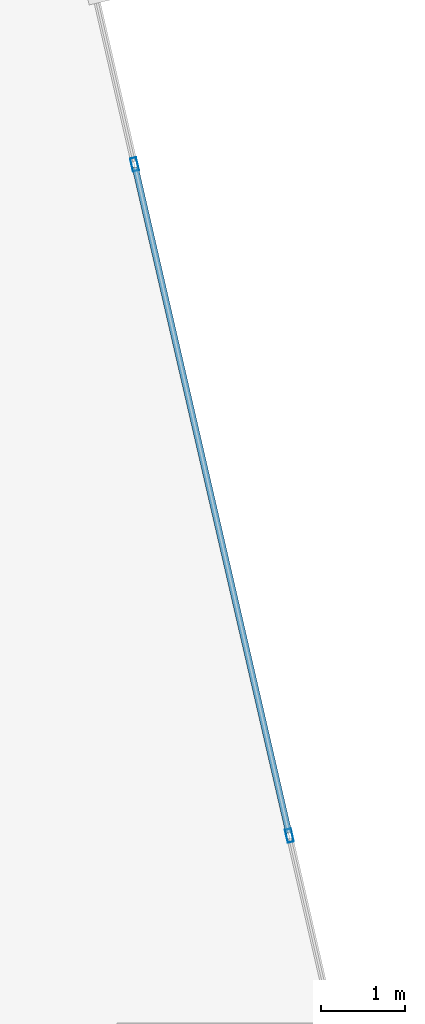
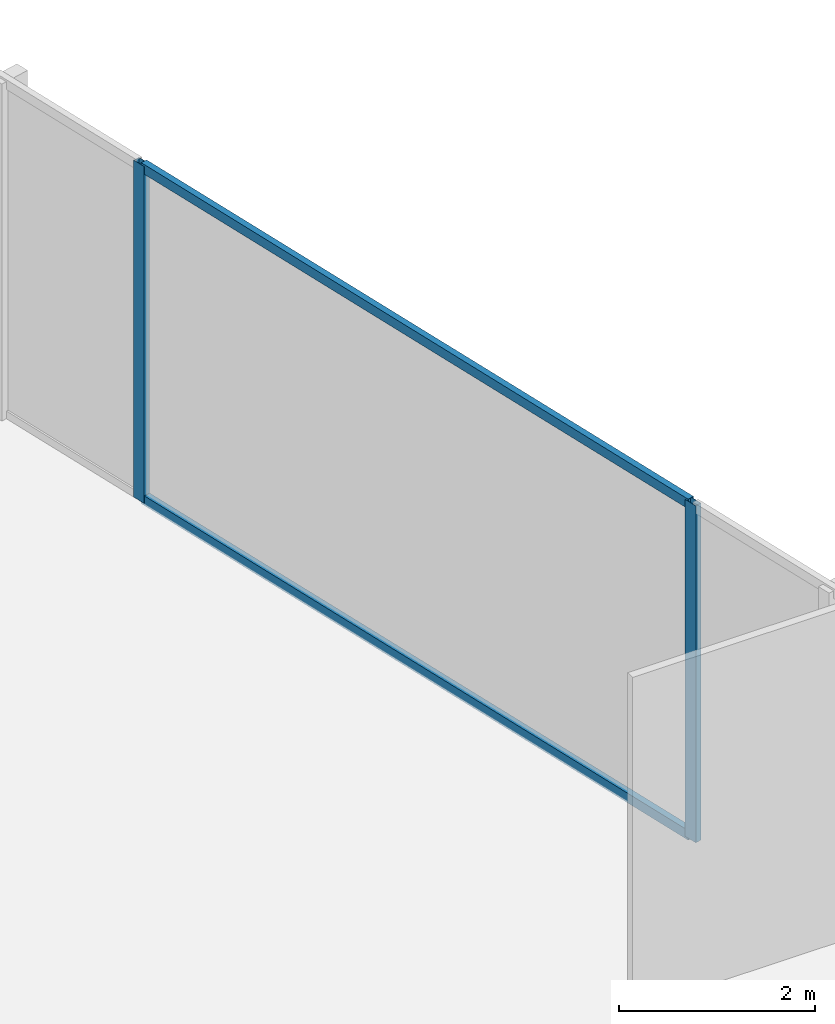
# One storey, part 16 of 24: 4 members, 1 element without a shape of its own.
"""IFC4 building model written with IfcOpenShell, lengths in metres."""

from ifc_helpers import new_model, si_unit, direction, frame, origin, origin_2d, place, context, subcontext, project, spatial, hollow_rectangle, extrude, material, layer, layer_set, material_profile, profile_set, type_object, element, aggregate, save


model = new_model("IFC4")

# Units and contexts
model_context = context("Model", 3, precision=1e-05, world=origin(), true_north=direction((0.0, 1.0)))
body_context = subcontext(model_context, "Body", "Model", "MODEL_VIEW")
ifc_project = project(units=[si_unit("LENGTHUNIT", "METRE"), si_unit("AREAUNIT", "SQUARE_METRE"), si_unit("VOLUMEUNIT", "CUBIC_METRE"), si_unit("PLANEANGLEUNIT", "RADIAN"), si_unit("MASSUNIT", "GRAM", prefix="KILO")], contexts=[model_context])

# Site, building, storey
site_placement = place(None, origin())
site = spatial("IfcSite", under=ifc_project, at=site_placement, CompositionType="ELEMENT")
building_placement = place(site_placement, origin())
building = spatial("IfcBuilding", under=site, at=building_placement, Name="Keshet Zoharim Tower", CompositionType="ELEMENT")
storey_placement = place(building_placement, frame((0.0, 0.0, 242.800048828125)))
storey = spatial("IfcBuildingStorey", under=building, at=storey_placement, Name="L60", CompositionType="ELEMENT", Elevation=242.800048828125)

# Curtain wall, members
ifc_material = material(Name="Aluminium 6063-T6", Category="aluminium")
ifc_layer = layer(ifc_material, 0.260009765625)
ifc_layer_set = layer_set([ifc_layer], Name="Aluminium 6063-T6")
curtain_wall_type = type_object("IfcCurtainWallType", Name="CW-SYS-06", PredefinedType="NOTDEFINED", material=ifc_layer_set)
curtain_wall_placement = place(storey_placement, origin())
curtain_wall = element("IfcCurtainWall", 1, at=curtain_wall_placement, inside=storey, type_object=curtain_wall_type, Name="L60 Unitised Curtain Wall 09", PredefinedType="NOTDEFINED")
ifc_material_profile_1 = material_profile(ifc_material, hollow_rectangle(XDim=0.074951171875, YDim=0.159912109375, WallThickness=0.00390625, at=origin_2d()), Name="MUL-75x160")
ifc_profile_set_1 = profile_set([ifc_material_profile_1], Name="Aluminium 6063-T6")
member_type_1 = type_object("IfcMemberType", Name="CWM-M15", PredefinedType="MULLION", material=ifc_profile_set_1)
member_1_placement = place(storey_placement, frame((41.210693359375, 44.320556640625, 0.0), z_axis=(0.0, 0.0, 1.0), x_axis=(0.974398012932, 0.224829963294, 0.0)))
member_1 = element("IfcMember", 2, at=member_1_placement, type_object=member_type_1, Name="CW-06 mullion 2", PredefinedType="MULLION", context=body_context, shape_type="SweptSolid", body=[
    extrude(hollow_rectangle(XDim=0.074951171875, YDim=0.159912109375, WallThickness=0.00390625, at=origin_2d()), origin(), (0.0, 0.0, 1.0), 4.18994140625),
])
member_2_placement = place(storey_placement, frame((43.063232421875, 36.291259765625, 0.0), z_axis=(0.0, 0.0, 1.0), x_axis=(0.974398012932, 0.224829963294, 0.0)))
member_2 = element("IfcMember", 3, at=member_2_placement, type_object=member_type_1, Name="CW-06 mullion 3", PredefinedType="MULLION", context=body_context, shape_type="SweptSolid", body=[
    extrude(hollow_rectangle(XDim=0.074951171875, YDim=0.159912109375, WallThickness=0.00390625, at=origin_2d()), origin(), (0.0, 0.0, 1.0), 4.18994140625),
])
ifc_material_profile_2 = material_profile(ifc_material, hollow_rectangle(XDim=0.074951171875, YDim=0.1201171875, WallThickness=0.00390625, at=origin_2d()), Name="TRN-75x120")
ifc_profile_set_2 = profile_set([ifc_material_profile_2], Name="Aluminium 6063-T6")
member_type_2 = type_object("IfcMemberType", Name="CWT-T12", PredefinedType="USERDEFINED", material=ifc_profile_set_2)
member_3_placement = place(storey_placement, frame((41.218505859375, 44.28662109375, 0.034912109375), z_axis=(0.224826771459, -0.974398749402, 0.0), x_axis=(0.974398749402, 0.224826771459, 0.0)))
member_3 = element("IfcMember", 4, at=member_3_placement, type_object=member_type_2, Name="CW-06 transom 2.1", ObjectType="TRANSOM", PredefinedType="USERDEFINED", context=body_context, shape_type="SweptSolid", body=[
    extrude(hollow_rectangle(XDim=0.074951171875, YDim=0.1201171875, WallThickness=0.00390625, at=origin_2d()), origin(), (0.0, 0.0, 1.0), 8.17041015625),
])
member_4_placement = place(storey_placement, frame((41.218505859375, 44.28662109375, 4.155029296875), z_axis=(0.224826771459, -0.974398749402, 0.0), x_axis=(0.974398749402, 0.224826771459, 0.0)))
member_4 = element("IfcMember", 5, at=member_4_placement, type_object=member_type_2, Name="CW-06 transom 2.2", ObjectType="TRANSOM", PredefinedType="USERDEFINED", context=body_context, shape_type="SweptSolid", body=[
    extrude(hollow_rectangle(XDim=0.074951171875, YDim=0.1201171875, WallThickness=0.00390625, at=origin_2d()), origin(), (0.0, 0.0, 1.0), 8.17041015625),
])
aggregate(curtain_wall, [member_1, member_2, member_3, member_4])

save(model, "model.ifc")
